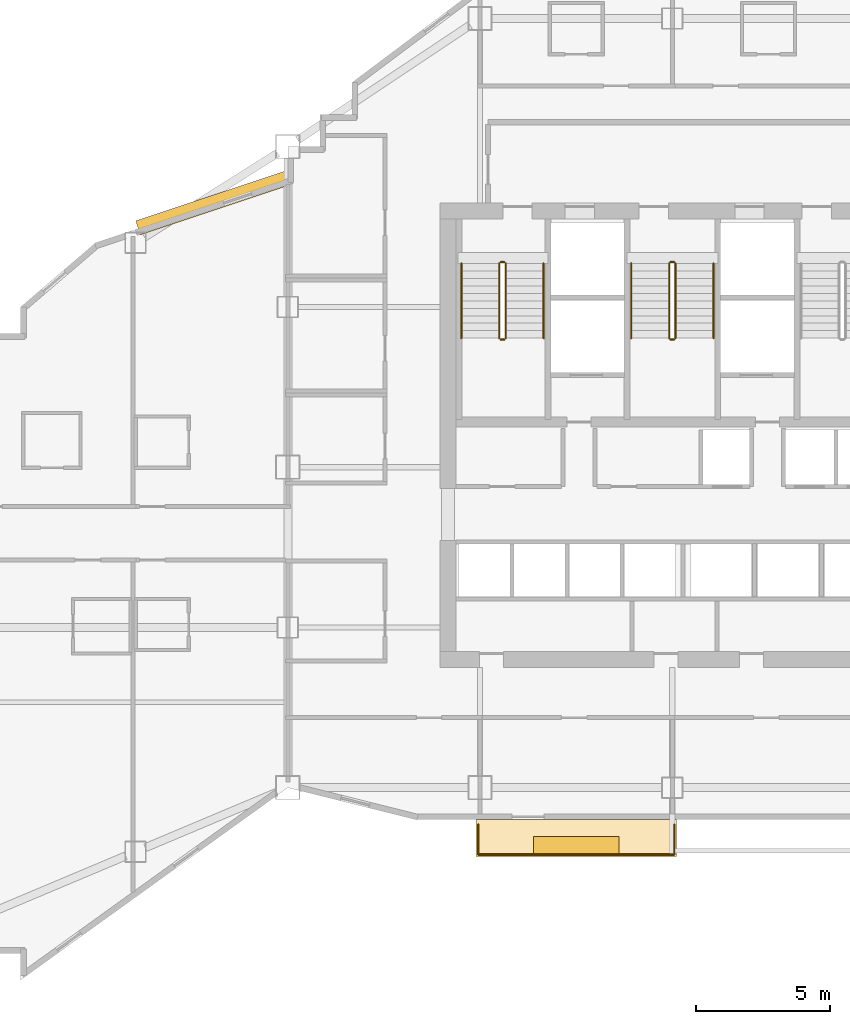
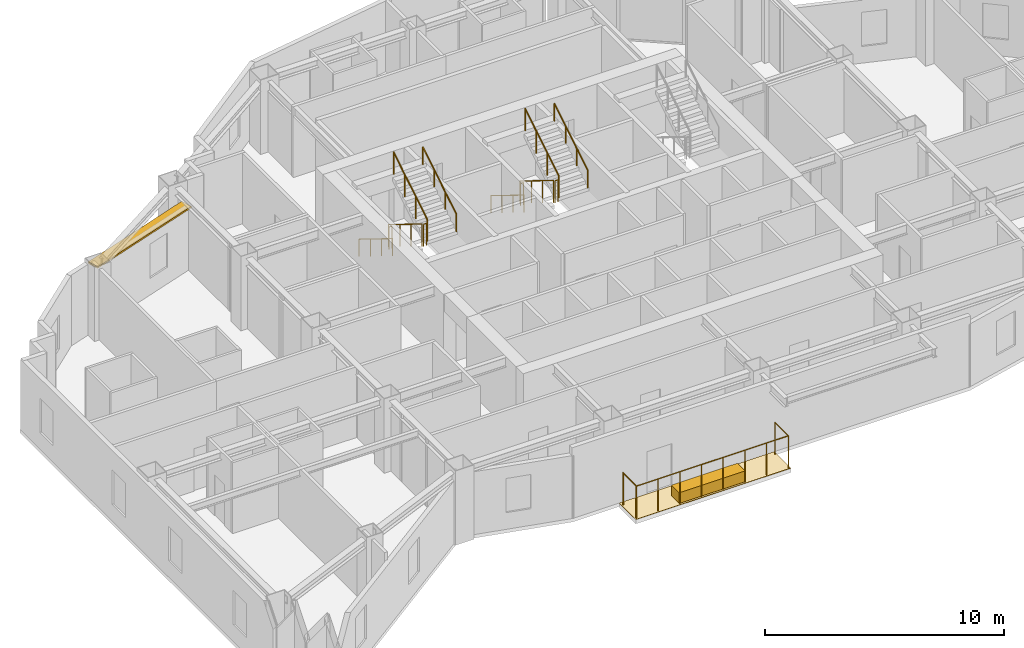
# One storey, part 10 of 11: 14 railings, 2 coverings, 1 shading device.
"""IFC4 building model written with IfcOpenShell, lengths in metres."""

from ifc_helpers import new_model, si_unit, direction, frame, origin, origin_2d, place, context, subcontext, project, spatial, polyline, rectangle, circle, outline, extrude, material, layer, layer_set, type_object, element, save


model = new_model("IFC4")

# Units and contexts
model_context = context("Model", 3, precision=1e-05, world=origin(), true_north=direction((0.0, 1.0)))
body_context = subcontext(model_context, "Body", "Model", "MODEL_VIEW")
ifc_project = project(units=[si_unit("LENGTHUNIT", "METRE"), si_unit("AREAUNIT", "SQUARE_METRE"), si_unit("VOLUMEUNIT", "CUBIC_METRE"), si_unit("PLANEANGLEUNIT", "RADIAN"), si_unit("MASSUNIT", "GRAM", prefix="KILO")], contexts=[model_context])

# Site, building, storey
site_placement = place(None, origin())
site = spatial("IfcSite", under=ifc_project, at=site_placement, CompositionType="ELEMENT")
building_placement = place(site_placement, origin())
building = spatial("IfcBuilding", under=site, at=building_placement, Name="Haolan Belvedere Tower", CompositionType="ELEMENT")
storey_placement = place(building_placement, frame((0.0, 0.0, 172.800048828125)))
storey = spatial("IfcBuildingStorey", under=building, at=storey_placement, Name="L43", CompositionType="ELEMENT", Elevation=172.800048828125)

# Coverings
ifc_material_1 = material(Name="Engineered lightweight planted garden soil substrate", Category="masonry")
ifc_layer_1 = layer(ifc_material_1, 0.550048828125, Name="Engineered lightweight planted garden soil substrate")
ifc_layer_set_1 = layer_set([ifc_layer_1], Name="Engineered lightweight planted garden soil substrate")
covering_type_1 = type_object("IfcCoveringType", Name="COV-PLANT-550", PredefinedType="MEMBRANE", material=ifc_layer_set_1)
covering_1_placement = place(storey_placement, frame((34.800048828125, 19.43994140625, 0.0), z_axis=(0.0, 0.0, 1.0), x_axis=(1.0, 0.0, 0.0)))
element("IfcCovering", 1, at=covering_1_placement, inside=storey, type_object=covering_type_1, Name="L43 structural tree balcony PLANTER box 1", PredefinedType="MEMBRANE", context=body_context, shape_type="SweptSolid", body=[
    extrude(rectangle(XDim=3.199951171875, YDim=0.64990234375, at=origin_2d()), origin(), (0.0, 0.0, 1.0), 0.550048828125),
])
ifc_material_2 = material(Name="Elastomeric waterproof roofing membrane and stone pavers", Category="masonry")
ifc_layer_2 = layer(ifc_material_2, 0.02001953125, Name="Elastomeric waterproof roofing membrane and stone pavers")
ifc_layer_set_2 = layer_set([ifc_layer_2], Name="Elastomeric waterproof roofing membrane and stone pavers")
covering_type_2 = type_object("IfcCoveringType", Name="COV-ROOF-20", PredefinedType="ROOFING", material=ifc_layer_set_2)
covering_2_placement = place(storey_placement, frame((0.0, 0.0, -0.02001953125)))
element("IfcCovering", 2, at=covering_2_placement, inside=storey, type_object=covering_type_2, Name="L43 tree-balcony waterproof membrane 1", PredefinedType="ROOFING", context=body_context, shape_type="SweptSolid", body=[
    extrude(outline(polyline([(31.050048828125, 19.02001953125), (38.550048828125, 19.02001953125), (38.550048828125, 20.39990234375), (31.050048828125, 20.39990234375), (31.050048828125, 19.02001953125)])), origin(), (0.0, 0.0, 1.0), 0.02001953125),
])

# Railings
ifc_material_3 = material(Name="Brushed stainless steel 304", Category="steel")
railing_type_1 = type_object("IfcRailingType", Name="RL-STAIR-GRD-1150", PredefinedType="GUARDRAIL", material=ifc_material_3)
railing_1_placement = place(storey_placement, frame((31.919921875, 41.22998046875, 0.172607421875)))
element("IfcRailing", 3, at=railing_1_placement, inside=storey, type_object=railing_type_1, Name="L43 ST1 stair guard 1", PredefinedType="GUARDRAIL", context=body_context, shape_type="SweptSolid", body=[
    extrude(circle(Radius=0.02392578125, at=origin_2d()), frame((0.0, 0.0, 1.1259765625), z_axis=(0.0, -0.851089632645, 0.525020415988), x_axis=(1.0, 0.0, 0.0)), (0.0, 0.0, 1.0), 3.2900390625),
    extrude(circle(Radius=0.02099609375, at=origin_2d()), origin(), (0.0, 0.0, 1.0), 1.101806640625),
    extrude(circle(Radius=0.02099609375, at=origin_2d()), frame((0.0, -0.933349609375, 0.57568359375)), (0.0, 0.0, 1.0), 1.101806640625),
    extrude(circle(Radius=0.02099609375, at=origin_2d()), frame((0.0, -1.86669921875, 1.151611328125)), (0.0, 0.0, 1.0), 1.101806640625),
    extrude(circle(Radius=0.02099609375, at=origin_2d()), frame((0.0, -2.800048828125, 1.727294921875)), (0.0, 0.0, 1.0), 1.101806640625),
])
railing_2_placement = place(storey_placement, frame((31.969970703125, 38.3798828125, 1.89990234375)))
element("IfcRailing", 4, at=railing_2_placement, inside=storey, type_object=railing_type_1, Name="L43 ST1 stair guard 2", PredefinedType="GUARDRAIL", context=body_context, shape_type="SweptSolid", body=[
    extrude(circle(Radius=0.02392578125, at=origin_2d()), frame((0.0, 0.0, 1.1259765625), z_axis=(1.0, 0.0, 0.0), x_axis=(0.0, 1.0, 0.0)), (0.0, 0.0, 1.0), 0.14013671875),
    extrude(circle(Radius=0.02099609375, at=origin_2d()), origin(), (0.0, 0.0, 1.0), 1.101806640625),
    extrude(circle(Radius=0.02099609375, at=origin_2d()), frame((0.14013671875, 0.0, 0.0)), (0.0, 0.0, 1.0), 1.101806640625),
])
railing_3_placement = place(storey_placement, frame((32.159912109375, 38.429931640625, 2.07275390625)))
element("IfcRailing", 5, at=railing_3_placement, inside=storey, type_object=railing_type_1, Name="L43 ST1 stair guard 3", PredefinedType="GUARDRAIL", context=body_context, shape_type="SweptSolid", body=[
    extrude(circle(Radius=0.02392578125, at=origin_2d()), frame((0.0, 0.0, 1.1259765625), z_axis=(0.0, 0.851089632645, 0.525020415988), x_axis=(-1.0, 0.0, 0.0)), (0.0, 0.0, 1.0), 3.2900390625),
    extrude(circle(Radius=0.02099609375, at=origin_2d()), origin(), (0.0, 0.0, 1.0), 1.101806640625),
    extrude(circle(Radius=0.02099609375, at=origin_2d()), frame((0.0, 0.933349609375, 0.57568359375)), (0.0, 0.0, 1.0), 1.101806640625),
    extrude(circle(Radius=0.02099609375, at=origin_2d()), frame((0.0, 1.86669921875, 1.151611328125)), (0.0, 0.0, 1.0), 1.101806640625),
    extrude(circle(Radius=0.02099609375, at=origin_2d()), frame((0.0, 2.800048828125, 1.727294921875)), (0.0, 0.0, 1.0), 1.101806640625),
])
railing_4_placement = place(storey_placement, frame((31.969970703125, 41.280029296875, 0.0)))
element("IfcRailing", 6, at=railing_4_placement, inside=storey, type_object=railing_type_1, Name="L43 ST1 stair guard 4", PredefinedType="GUARDRAIL", context=body_context, shape_type="SweptSolid", body=[
    extrude(circle(Radius=0.02392578125, at=origin_2d()), frame((0.0, 0.0, 1.1259765625), z_axis=(1.0, 0.0, 0.0), x_axis=(0.0, 1.0, 0.0)), (0.0, 0.0, 1.0), 0.14013671875),
    extrude(circle(Radius=0.02099609375, at=origin_2d()), origin(), (0.0, 0.0, 1.0), 1.101806640625),
    extrude(circle(Radius=0.02099609375, at=origin_2d()), frame((0.14013671875, 0.0, 0.0)), (0.0, 0.0, 1.0), 1.101806640625),
])
railing_5_placement = place(storey_placement, frame((38.280029296875, 41.22998046875, 0.172607421875)))
element("IfcRailing", 7, at=railing_5_placement, inside=storey, type_object=railing_type_1, Name="L43 ST3 stair guard 1", PredefinedType="GUARDRAIL", context=body_context, shape_type="SweptSolid", body=[
    extrude(circle(Radius=0.02392578125, at=origin_2d()), frame((0.0, 0.0, 1.1259765625), z_axis=(0.0, -0.851089632645, 0.525020415988), x_axis=(1.0, 0.0, 0.0)), (0.0, 0.0, 1.0), 3.2900390625),
    extrude(circle(Radius=0.02099609375, at=origin_2d()), origin(), (0.0, 0.0, 1.0), 1.101806640625),
    extrude(circle(Radius=0.02099609375, at=origin_2d()), frame((0.0, -0.933349609375, 0.57568359375)), (0.0, 0.0, 1.0), 1.101806640625),
    extrude(circle(Radius=0.02099609375, at=origin_2d()), frame((0.0, -1.86669921875, 1.151611328125)), (0.0, 0.0, 1.0), 1.101806640625),
    extrude(circle(Radius=0.02099609375, at=origin_2d()), frame((0.0, -2.800048828125, 1.727294921875)), (0.0, 0.0, 1.0), 1.101806640625),
])
railing_6_placement = place(storey_placement, frame((38.330078125, 38.3798828125, 1.89990234375)))
element("IfcRailing", 8, at=railing_6_placement, inside=storey, type_object=railing_type_1, Name="L43 ST3 stair guard 2", PredefinedType="GUARDRAIL", context=body_context, shape_type="SweptSolid", body=[
    extrude(circle(Radius=0.02392578125, at=origin_2d()), frame((0.0, 0.0, 1.1259765625), z_axis=(1.0, 0.0, 0.0), x_axis=(0.0, 1.0, 0.0)), (0.0, 0.0, 1.0), 0.139892578125),
    extrude(circle(Radius=0.02099609375, at=origin_2d()), origin(), (0.0, 0.0, 1.0), 1.101806640625),
    extrude(circle(Radius=0.02099609375, at=origin_2d()), frame((0.139892578125, 0.0, 0.0)), (0.0, 0.0, 1.0), 1.101806640625),
])
railing_7_placement = place(storey_placement, frame((38.52001953125, 38.429931640625, 2.07275390625)))
element("IfcRailing", 9, at=railing_7_placement, inside=storey, type_object=railing_type_1, Name="L43 ST3 stair guard 3", PredefinedType="GUARDRAIL", context=body_context, shape_type="SweptSolid", body=[
    extrude(circle(Radius=0.02392578125, at=origin_2d()), frame((0.0, 0.0, 1.1259765625), z_axis=(0.0, 0.851089632645, 0.525020415988), x_axis=(-1.0, 0.0, 0.0)), (0.0, 0.0, 1.0), 3.2900390625),
    extrude(circle(Radius=0.02099609375, at=origin_2d()), origin(), (0.0, 0.0, 1.0), 1.101806640625),
    extrude(circle(Radius=0.02099609375, at=origin_2d()), frame((0.0, 0.933349609375, 0.57568359375)), (0.0, 0.0, 1.0), 1.101806640625),
    extrude(circle(Radius=0.02099609375, at=origin_2d()), frame((0.0, 1.86669921875, 1.151611328125)), (0.0, 0.0, 1.0), 1.101806640625),
    extrude(circle(Radius=0.02099609375, at=origin_2d()), frame((0.0, 2.800048828125, 1.727294921875)), (0.0, 0.0, 1.0), 1.101806640625),
])
railing_8_placement = place(storey_placement, frame((38.330078125, 41.280029296875, 0.0)))
element("IfcRailing", 10, at=railing_8_placement, inside=storey, type_object=railing_type_1, Name="L43 ST3 stair guard 4", PredefinedType="GUARDRAIL", context=body_context, shape_type="SweptSolid", body=[
    extrude(circle(Radius=0.02392578125, at=origin_2d()), frame((0.0, 0.0, 1.1259765625), z_axis=(1.0, 0.0, 0.0), x_axis=(0.0, 1.0, 0.0)), (0.0, 0.0, 1.0), 0.139892578125),
    extrude(circle(Radius=0.02099609375, at=origin_2d()), origin(), (0.0, 0.0, 1.0), 1.101806640625),
    extrude(circle(Radius=0.02099609375, at=origin_2d()), frame((0.139892578125, 0.0, 0.0)), (0.0, 0.0, 1.0), 1.101806640625),
])
railing_type_2 = type_object("IfcRailingType", Name="RL-STAIR-HND-900", PredefinedType="HANDRAIL", material=ifc_material_3)
railing_9_placement = place(storey_placement, frame((30.5, 41.22998046875, 0.172607421875)))
element("IfcRailing", 11, at=railing_9_placement, inside=storey, type_object=railing_type_2, Name="L43 ST1 stair handrail 1", PredefinedType="HANDRAIL", context=body_context, shape_type="SweptSolid", body=[
    extrude(circle(Radius=0.02392578125, at=origin_2d()), frame((0.0, 0.0, 0.8759765625), z_axis=(0.0, -0.851089632645, 0.525020415988), x_axis=(1.0, 0.0, 0.0)), (0.0, 0.0, 1.0), 3.2900390625),
    extrude(circle(Radius=0.02099609375, at=origin_2d()), origin(), (0.0, 0.0, 1.0), 0.851806640625),
    extrude(circle(Radius=0.02099609375, at=origin_2d()), frame((0.0, -0.933349609375, 0.57568359375)), (0.0, 0.0, 1.0), 0.851806640625),
    extrude(circle(Radius=0.02099609375, at=origin_2d()), frame((0.0, -1.86669921875, 1.151611328125)), (0.0, 0.0, 1.0), 0.851806640625),
    extrude(circle(Radius=0.02099609375, at=origin_2d()), frame((0.0, -2.800048828125, 1.727294921875)), (0.0, 0.0, 1.0), 0.851806640625),
])
railing_10_placement = place(storey_placement, frame((33.580078125, 38.429931640625, 2.07275390625)))
element("IfcRailing", 12, at=railing_10_placement, inside=storey, type_object=railing_type_2, Name="L43 ST1 stair handrail 2", PredefinedType="HANDRAIL", context=body_context, shape_type="SweptSolid", body=[
    extrude(circle(Radius=0.02392578125, at=origin_2d()), frame((0.0, 0.0, 0.8759765625), z_axis=(0.0, 0.851089632645, 0.525020415988), x_axis=(-1.0, 0.0, 0.0)), (0.0, 0.0, 1.0), 3.2900390625),
    extrude(circle(Radius=0.02099609375, at=origin_2d()), origin(), (0.0, 0.0, 1.0), 0.851806640625),
    extrude(circle(Radius=0.02099609375, at=origin_2d()), frame((0.0, 0.933349609375, 0.57568359375)), (0.0, 0.0, 1.0), 0.851806640625),
    extrude(circle(Radius=0.02099609375, at=origin_2d()), frame((0.0, 1.86669921875, 1.151611328125)), (0.0, 0.0, 1.0), 0.851806640625),
    extrude(circle(Radius=0.02099609375, at=origin_2d()), frame((0.0, 2.800048828125, 1.727294921875)), (0.0, 0.0, 1.0), 0.851806640625),
])
railing_11_placement = place(storey_placement, frame((36.860107421875, 41.22998046875, 0.172607421875)))
element("IfcRailing", 13, at=railing_11_placement, inside=storey, type_object=railing_type_2, Name="L43 ST3 stair handrail 1", PredefinedType="HANDRAIL", context=body_context, shape_type="SweptSolid", body=[
    extrude(circle(Radius=0.02392578125, at=origin_2d()), frame((0.0, 0.0, 0.8759765625), z_axis=(0.0, -0.851089632645, 0.525020415988), x_axis=(1.0, 0.0, 0.0)), (0.0, 0.0, 1.0), 3.2900390625),
    extrude(circle(Radius=0.02099609375, at=origin_2d()), origin(), (0.0, 0.0, 1.0), 0.851806640625),
    extrude(circle(Radius=0.02099609375, at=origin_2d()), frame((0.0, -0.933349609375, 0.57568359375)), (0.0, 0.0, 1.0), 0.851806640625),
    extrude(circle(Radius=0.02099609375, at=origin_2d()), frame((0.0, -1.86669921875, 1.151611328125)), (0.0, 0.0, 1.0), 0.851806640625),
    extrude(circle(Radius=0.02099609375, at=origin_2d()), frame((0.0, -2.800048828125, 1.727294921875)), (0.0, 0.0, 1.0), 0.851806640625),
])
railing_12_placement = place(storey_placement, frame((39.93994140625, 38.429931640625, 2.07275390625)))
element("IfcRailing", 14, at=railing_12_placement, inside=storey, type_object=railing_type_2, Name="L43 ST3 stair handrail 2", PredefinedType="HANDRAIL", context=body_context, shape_type="SweptSolid", body=[
    extrude(circle(Radius=0.02392578125, at=origin_2d()), frame((0.0, 0.0, 0.8759765625), z_axis=(0.0, 0.851089632645, 0.525020415988), x_axis=(-1.0, 0.0, 0.0)), (0.0, 0.0, 1.0), 3.2900390625),
    extrude(circle(Radius=0.02099609375, at=origin_2d()), origin(), (0.0, 0.0, 1.0), 0.851806640625),
    extrude(circle(Radius=0.02099609375, at=origin_2d()), frame((0.0, 0.933349609375, 0.57568359375)), (0.0, 0.0, 1.0), 0.851806640625),
    extrude(circle(Radius=0.02099609375, at=origin_2d()), frame((0.0, 1.86669921875, 1.151611328125)), (0.0, 0.0, 1.0), 0.851806640625),
    extrude(circle(Radius=0.02099609375, at=origin_2d()), frame((0.0, 2.800048828125, 1.727294921875)), (0.0, 0.0, 1.0), 0.851806640625),
])
ifc_material_4 = material(Name="Anodised aluminium and laminated glass balustrade", Category="aluminium")
railing_type_3 = type_object("IfcRailingType", Name="RL-TER-BAL-1150", PredefinedType="BALUSTRADE", material=ifc_material_4)
railing_13_placement = place(storey_placement, frame((31.1298828125, 19.10009765625, 0.0)))
element("IfcRailing", 15, at=railing_13_placement, inside=storey, type_object=railing_type_3, Name="L43 outdoor perimeter balustrade BAL-L43-1-1", PredefinedType="BALUSTRADE", context=body_context, shape_type="SweptSolid", body=[
    extrude(circle(Radius=0.02392578125, at=origin_2d()), frame((0.0, 0.0, 1.6259765625), z_axis=(0.0, 1.0, 0.0), x_axis=(-1.0, 0.0, 0.0)), (0.0, 0.0, 1.0), 1.119873046875),
    extrude(circle(Radius=0.02099609375, at=origin_2d()), origin(), (0.0, 0.0, 1.0), 1.601806640625),
    extrude(circle(Radius=0.02099609375, at=origin_2d()), frame((0.0, 1.119873046875, 0.0)), (0.0, 0.0, 1.0), 1.601806640625),
])
railing_14_placement = place(storey_placement, frame((38.469970703125, 20.219970703125, 0.0)))
element("IfcRailing", 16, at=railing_14_placement, inside=storey, type_object=railing_type_3, Name="L43 outdoor perimeter balustrade BAL-L43-1-2", PredefinedType="BALUSTRADE", context=body_context, shape_type="SweptSolid", body=[
    extrude(circle(Radius=0.02392578125, at=origin_2d()), frame((0.0, 0.0, 1.6259765625), z_axis=(0.0, -1.0, 0.0), x_axis=(1.0, 0.0, 0.0)), (0.0, 0.0, 1.0), 1.119873046875),
    extrude(circle(Radius=0.02392578125, at=origin_2d()), frame((0.0, -1.119873046875, 1.6259765625), z_axis=(-1.0, 0.0, 0.0), x_axis=(0.0, -1.0, 0.0)), (0.0, 0.0, 1.0), 7.340087890625),
    extrude(circle(Radius=0.02099609375, at=origin_2d()), origin(), (0.0, 0.0, 1.0), 1.601806640625),
    extrude(circle(Radius=0.02099609375, at=origin_2d()), frame((0.0, -1.119873046875, 0.0)), (0.0, 0.0, 1.0), 1.601806640625),
    extrude(circle(Radius=0.02099609375, at=origin_2d()), frame((-1.048583984375, -1.119873046875, 0.0)), (0.0, 0.0, 1.0), 1.601806640625),
    extrude(circle(Radius=0.02099609375, at=origin_2d()), frame((-2.09716796875, -1.119873046875, 0.0)), (0.0, 0.0, 1.0), 1.601806640625),
    extrude(circle(Radius=0.02099609375, at=origin_2d()), frame((-3.145751953125, -1.119873046875, 0.0)), (0.0, 0.0, 1.0), 1.601806640625),
    extrude(circle(Radius=0.02099609375, at=origin_2d()), frame((-4.1943359375, -1.119873046875, 0.0)), (0.0, 0.0, 1.0), 1.601806640625),
    extrude(circle(Radius=0.02099609375, at=origin_2d()), frame((-5.242919921875, -1.119873046875, 0.0)), (0.0, 0.0, 1.0), 1.601806640625),
    extrude(circle(Radius=0.02099609375, at=origin_2d()), frame((-6.29150390625, -1.119873046875, 0.0)), (0.0, 0.0, 1.0), 1.601806640625),
    extrude(circle(Radius=0.02099609375, at=origin_2d()), frame((-7.340087890625, -1.119873046875, 0.0)), (0.0, 0.0, 1.0), 1.601806640625),
])

# Shading device
ifc_material_5 = material(Name="Anodised champagne-silver aluminium 6063-T6", Category="aluminium")
ifc_layer_3 = layer(ifc_material_5, 0.080078125, Name="Anodised champagne-silver aluminium 6063-T6")
ifc_layer_set_3 = layer_set([ifc_layer_3], Name="Anodised champagne-silver aluminium 6063-T6")
shading_device_type = type_object("IfcShadingDeviceType", Name="SHD-SUN-550", PredefinedType="USERDEFINED", material=ifc_layer_set_3)
shading_device_placement = place(storey_placement, frame((21.19873046875, 43.497802734375, 3.114990234375), z_axis=(0.0, 0.0, 1.0), x_axis=(-0.948688534679, -0.316212055698, 0.0)))
element("IfcShadingDevice", 17, at=shading_device_placement, inside=storey, type_object=shading_device_type, Name="L43 pale-metal horizontal SUNSHADE band 29.1", ObjectType="SUNSHADE", PredefinedType="USERDEFINED", context=body_context, shape_type="SweptSolid", body=[
    extrude(rectangle(XDim=5.914306640625, YDim=0.550048828125, at=origin_2d()), origin(), (0.0, 0.0, 1.0), 0.080078125),
])

save(model, "model.ifc")
